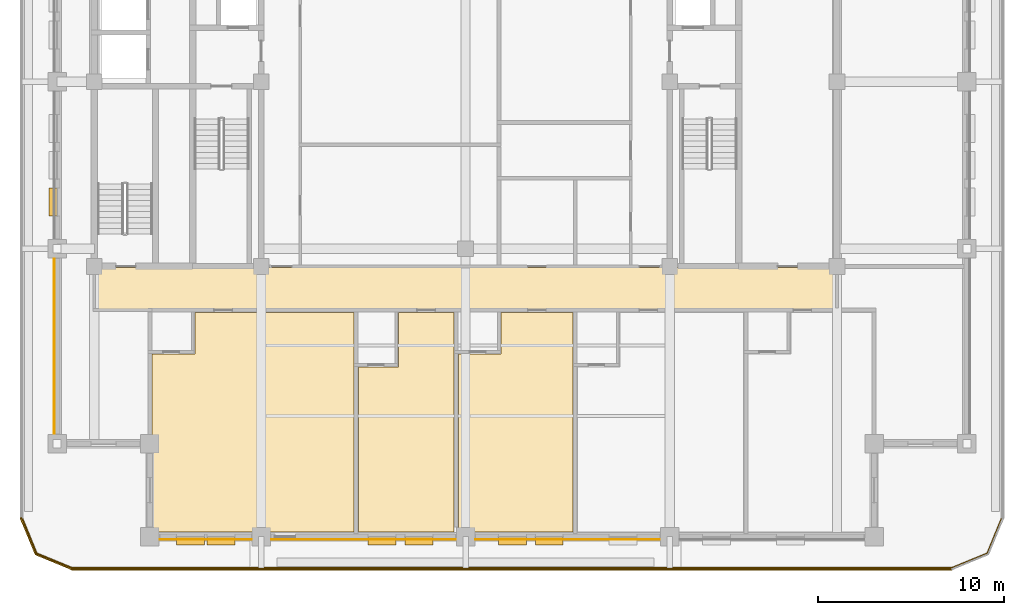
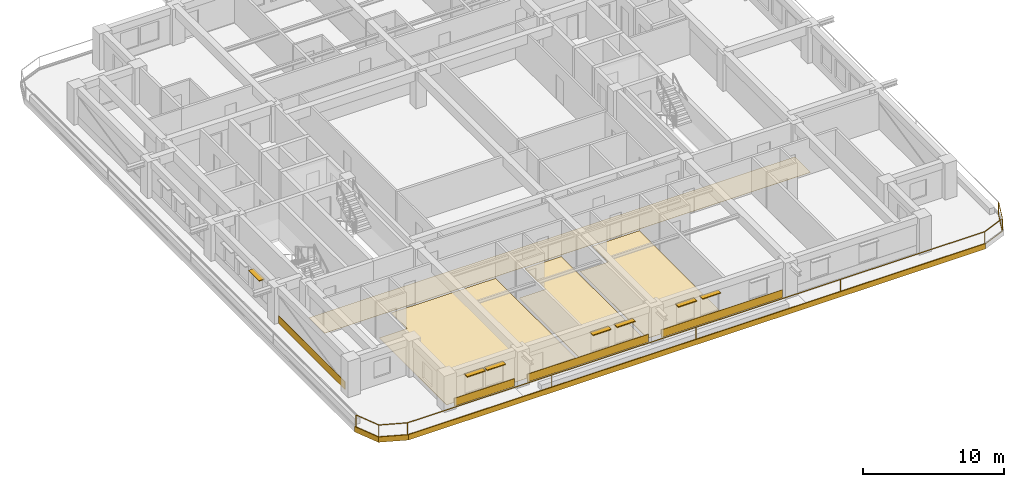
# One storey, part 8 of 13: 11 coverings, 7 shading devices, 1 railing.
"""IFC4 building model written with IfcOpenShell, lengths in metres."""

from ifc_helpers import new_model, si_unit, direction, frame, frame_2d, origin, origin_2d, place, context, subcontext, project, spatial, polyline, rectangle, outline, extrude, material, layer, layer_set, type_object, element, save


model = new_model("IFC4")

# Units and contexts
model_context = context("Model", 3, precision=1e-05, world=origin(), true_north=direction((0.0, 1.0)))
body_context = subcontext(model_context, "Body", "Model", "MODEL_VIEW")
ifc_project = project(units=[si_unit("LENGTHUNIT", "METRE"), si_unit("AREAUNIT", "SQUARE_METRE"), si_unit("VOLUMEUNIT", "CUBIC_METRE"), si_unit("PLANEANGLEUNIT", "RADIAN"), si_unit("MASSUNIT", "GRAM", prefix="KILO")], contexts=[model_context])

# Site, building, storey
site_placement = place(None, origin())
site = spatial("IfcSite", under=ifc_project, at=site_placement, CompositionType="ELEMENT")
building_placement = place(site_placement, origin())
building = spatial("IfcBuilding", under=site, at=building_placement, Name="Zulmaris Gate Convention Tower", CompositionType="ELEMENT")
storey_placement = place(building_placement, frame((0.0, 0.0, 166.059814453125)))
storey = spatial("IfcBuildingStorey", under=building, at=storey_placement, Name="L42", CompositionType="ELEMENT", Elevation=166.059814453125)

# Coverings
ifc_material_1 = material(Name="Precast concrete C40/50", Category="concrete")
ifc_layer_1 = layer(ifc_material_1, 0.0400390625, Name="Precast concrete C40/50")
ifc_layer_set_1 = layer_set([ifc_layer_1], Name="Precast concrete C40/50")
covering_type_1 = type_object("IfcCoveringType", Name="CLAD-SPANDREL-PRECAST", PredefinedType="CLADDING", material=ifc_layer_set_1)
covering_1_placement = place(storey_placement, frame((-16.469970703125, -24.64990234375, 0.0), z_axis=(0.0, 0.0, 1.0), x_axis=(1.0, 0.0, 0.0)))
element("IfcCovering", 1, at=covering_1_placement, inside=storey, type_object=covering_type_1, Name="CLD-L42-S-0_0", PredefinedType="CLADDING", context=body_context, shape_type="SweptSolid", body=[
    extrude(rectangle(XDim=4.93994140625, YDim=0.0400390625, at=frame_2d((2.469970703125, 0.0))), origin(), (0.0, 0.0, 1.0), 0.679931640625),
])
for number, where, z_axis, x_axis, name in (
    (2, (-10.469970703125, -24.64990234375, 0.0), (0.0, 0.0, 1.0), (1.0, 0.0, 0.0), "CLD-L42-S-1_0"),
    (3, (0.530029296875, -24.64990234375, 0.0), (0.0, 0.0, 1.0), (1.0, 0.0, 0.0), "CLD-L42-S-2_0"),
):
    element("IfcCovering", number, at=place(storey_placement, frame(where, z_axis=z_axis, x_axis=x_axis)), inside=storey, type_object=covering_type_1, Name=name, PredefinedType="CLADDING", context=body_context, shape_type="SweptSolid", body=[
        extrude(rectangle(XDim=9.93994140625, YDim=0.0400390625, at=frame_2d((4.969970703125, 0.0))), origin(), (0.0, 0.0, 1.0), 0.679931640625),
    ])
covering_2_placement = place(storey_placement, frame((-22.14990234375, -9.530029296875, 0.0), z_axis=(0.0, 0.0, 1.0), x_axis=(0.0, -1.0, 0.0)))
element("IfcCovering", 4, at=covering_2_placement, inside=storey, type_object=covering_type_1, Name="CLD-L42-W-0_0", PredefinedType="CLADDING", context=body_context, shape_type="SweptSolid", body=[
    extrude(rectangle(XDim=9.43994140625, YDim=0.0400390625, at=frame_2d((4.719970703125, 0.0))), origin(), (0.0, 0.0, 1.0), 0.679931640625),
])
ifc_material_2 = material(Name="White Glazed Architectural Precast Concrete C40/50", Category="concrete")
ifc_layer_2 = layer(ifc_material_2, 0.080078125, Name="White Glazed Architectural Precast Concrete C40/50")
ifc_layer_set_2 = layer_set([ifc_layer_2], Name="White Glazed Architectural Precast Concrete C40/50")
covering_type_2 = type_object("IfcCoveringType", Name="CLAD-TRAY-FASCIA", PredefinedType="CLADDING", material=ifc_layer_set_2)
covering_3_placement = place(storey_placement, frame((-23.962890625, -23.484619140625, -0.2900390625), z_axis=(0.0, 0.0, 1.0), x_axis=(0.382656984709, -0.923890487046, 0.0)))
element("IfcCovering", 5, at=covering_3_placement, inside=storey, type_object=covering_type_2, Name="FSC-L42-TR-00", PredefinedType="CLADDING", context=body_context, shape_type="SweptSolid", body=[
    extrude(rectangle(XDim=2.14306640625, YDim=0.080078125, at=frame_2d((1.071533203125, 0.0))), origin(), (0.0, 0.0, 1.0), 0.4599609375),
])
covering_4_placement = place(storey_placement, frame((-23.16455078125, -25.44287109375, -0.2900390625), z_axis=(0.0, 0.0, 1.0), x_axis=(0.923873803533, -0.382697263049, 0.0)))
element("IfcCovering", 6, at=covering_4_placement, inside=storey, type_object=covering_type_2, Name="FSC-L42-TR-01", PredefinedType="CLADDING", context=body_context, shape_type="SweptSolid", body=[
    extrude(rectangle(XDim=2.142822265625, YDim=0.080078125, at=frame_2d((1.0712890625, 0.0))), origin(), (0.0, 0.0, 1.0), 0.4599609375),
])
covering_5_placement = place(storey_placement, frame((-21.199951171875, -26.260009765625, -0.2900390625), z_axis=(0.0, 0.0, 1.0), x_axis=(1.0, 0.0, 0.0)))
element("IfcCovering", 7, at=covering_5_placement, inside=storey, type_object=covering_type_2, Name="FSC-L42-TR-02", PredefinedType="CLADDING", context=body_context, shape_type="SweptSolid", body=[
    extrude(rectangle(XDim=47.39990234375, YDim=0.080078125, at=frame_2d((23.699951171875, 0.0))), origin(), (0.0, 0.0, 1.0), 0.4599609375),
])
ifc_material_3 = material(Name="Woven Acoustic Wool Carpet Tile")
ifc_layer_3 = layer(ifc_material_3, 0.02001953125, Name="Woven Acoustic Wool Carpet Tile")
ifc_layer_set_3 = layer_set([ifc_layer_3], Name="Woven Acoustic Wool Carpet Tile")
covering_type_3 = type_object("IfcCoveringType", Name="FLR-CARPET-12", PredefinedType="FLOORING", material=ifc_layer_set_3)
covering_6_placement = place(storey_placement, origin())
element("IfcCovering", 8, at=covering_6_placement, inside=storey, type_object=covering_type_3, Name="FLR-L42-R26", PredefinedType="FLOORING", context=body_context, shape_type="SweptSolid", body=[
    extrude(outline(polyline([(-19.93994140625, -12.239990234375), (19.93994140625, -12.239990234375), (19.93994140625, -10.010009765625), (-19.93994140625, -10.010009765625), (-19.93994140625, -12.239990234375)])), origin(), (0.0, 0.0, 1.0), 0.02001953125),
])
covering_7_placement = place(storey_placement, origin())
element("IfcCovering", 9, at=covering_7_placement, inside=storey, type_object=covering_type_3, Name="FLR-L42-R42", PredefinedType="FLOORING", context=body_context, shape_type="SweptSolid", body=[
    extrude(outline(polyline([(-5.780029296875, -24.260009765625), (-0.6201171875, -24.260009765625), (-0.6201171875, -12.419921875), (-3.6201171875, -12.419921875), (-3.6201171875, -15.3701171875), (-5.780029296875, -15.3701171875), (-5.780029296875, -24.260009765625)])), origin(), (0.0, 0.0, 1.0), 0.02001953125),
])
ifc_material_4 = material(Name="Engineered Teak Parquet Flooring")
ifc_layer_4 = layer(ifc_material_4, 0.02001953125, Name="Engineered Teak Parquet Flooring")
ifc_layer_set_4 = layer_set([ifc_layer_4], Name="Engineered Teak Parquet Flooring")
covering_type_4 = type_object("IfcCoveringType", Name="FLR-TIMBER-18", PredefinedType="FLOORING", material=ifc_layer_set_4)
covering_8_placement = place(storey_placement, origin())
element("IfcCovering", 10, at=covering_8_placement, inside=storey, type_object=covering_type_4, Name="FLR-L42-R40", PredefinedType="FLOORING", context=body_context, shape_type="SweptSolid", body=[
    extrude(outline(polyline([(-16.8798828125, -24.260009765625), (-6.02001953125, -24.260009765625), (-6.02001953125, -12.419921875), (-14.580078125, -12.419921875), (-14.580078125, -14.669921875), (-16.8798828125, -14.669921875), (-16.8798828125, -24.260009765625)])), origin(), (0.0, 0.0, 1.0), 0.02001953125),
])
covering_9_placement = place(storey_placement, origin())
element("IfcCovering", 11, at=covering_9_placement, inside=storey, type_object=covering_type_4, Name="FLR-L42-R44", PredefinedType="FLOORING", context=body_context, shape_type="SweptSolid", body=[
    extrude(outline(polyline([(-0.3798828125, -24.260009765625), (5.780029296875, -24.260009765625), (5.780029296875, -12.419921875), (1.919921875, -12.419921875), (1.919921875, -14.669921875), (-0.3798828125, -14.669921875), (-0.3798828125, -24.260009765625)])), origin(), (0.0, 0.0, 1.0), 0.02001953125),
])

# Railing
ifc_material_5 = material(Name="Laminated Glass and Stainless Steel", Category="steel")
railing_type = type_object("IfcRailingType", Name="RL-BALC-1150", PredefinedType="BALUSTRADE", material=ifc_material_5)
railing_placement = place(storey_placement, frame((-23.8798828125, -23.5, 0.010009765625)))
element("IfcRailing", 12, at=railing_placement, inside=storey, type_object=railing_type, Name="RL-L42-BALC-S", PredefinedType="BALUSTRADE", context=body_context, shape_type="SweptSolid", body=[
    extrude(rectangle(XDim=0.048095703125, YDim=0.048095703125, at=origin_2d()), frame((0.0, 0.0, 1.1259765625), z_axis=(0.382670664694, -0.92388482095, 0.0), x_axis=(0.92388482095, 0.382670664694, 0.0)), (0.0, 0.0, 1.0), 2.051025390625),
    extrude(rectangle(XDim=0.048095703125, YDim=0.048095703125, at=origin_2d()), frame((0.0, 0.0, 0.02392578125), z_axis=(0.382670664694, -0.92388482095, 0.0), x_axis=(0.92388482095, 0.382670664694, 0.0)), (0.0, 0.0, 1.0), 2.051025390625),
    extrude(rectangle(XDim=0.048095703125, YDim=0.048095703125, at=origin_2d()), frame((0.784912109375, -1.89501953125, 1.1259765625), z_axis=(0.92388482095, -0.382670664694, 0.0), x_axis=(0.382670664694, 0.92388482095, 0.0)), (0.0, 0.0, 1.0), 2.051025390625),
    extrude(rectangle(XDim=0.048095703125, YDim=0.048095703125, at=origin_2d()), frame((0.784912109375, -1.89501953125, 0.02392578125), z_axis=(0.92388482095, -0.382670664694, 0.0), x_axis=(0.382670664694, 0.92388482095, 0.0)), (0.0, 0.0, 1.0), 2.051025390625),
    extrude(rectangle(XDim=0.048095703125, YDim=0.048095703125, at=origin_2d()), frame((2.679931640625, -2.679931640625, 1.1259765625), z_axis=(1.0, 0.0, 0.0), x_axis=(0.0, 1.0, 0.0)), (0.0, 0.0, 1.0), 47.39990234375),
    extrude(rectangle(XDim=0.048095703125, YDim=0.048095703125, at=origin_2d()), frame((2.679931640625, -2.679931640625, 0.02392578125), z_axis=(1.0, 0.0, 0.0), x_axis=(0.0, 1.0, 0.0)), (0.0, 0.0, 1.0), 47.39990234375),
    extrude(rectangle(XDim=0.048095703125, YDim=0.048095703125, at=origin_2d()), frame((50.079833984375, -2.679931640625, 1.1259765625), z_axis=(0.92388482095, 0.382670664694, 0.0), x_axis=(-0.382670664694, 0.92388482095, 0.0)), (0.0, 0.0, 1.0), 2.051025390625),
    extrude(rectangle(XDim=0.048095703125, YDim=0.048095703125, at=origin_2d()), frame((50.079833984375, -2.679931640625, 0.02392578125), z_axis=(0.92388482095, 0.382670664694, 0.0), x_axis=(-0.382670664694, 0.92388482095, 0.0)), (0.0, 0.0, 1.0), 2.051025390625),
    extrude(rectangle(XDim=0.048095703125, YDim=0.048095703125, at=origin_2d()), frame((51.974853515625, -1.89501953125, 1.1259765625), z_axis=(0.382670664694, 0.92388482095, 0.0), x_axis=(-0.92388482095, 0.382670664694, 0.0)), (0.0, 0.0, 1.0), 2.051025390625),
    extrude(rectangle(XDim=0.048095703125, YDim=0.048095703125, at=origin_2d()), frame((51.974853515625, -1.89501953125, 0.02392578125), z_axis=(0.382670664694, 0.92388482095, 0.0), x_axis=(-0.92388482095, 0.382670664694, 0.0)), (0.0, 0.0, 1.0), 2.051025390625),
    extrude(rectangle(XDim=0.0419921875, YDim=0.0419921875, at=origin_2d()), origin(), (0.0, 0.0, 1.0), 1.101806640625),
    extrude(rectangle(XDim=0.0419921875, YDim=0.0419921875, at=origin_2d()), frame((0.784912109375, -1.89501953125, 0.0)), (0.0, 0.0, 1.0), 1.101806640625),
    extrude(rectangle(XDim=0.0419921875, YDim=0.0419921875, at=origin_2d()), frame((2.679931640625, -2.679931640625, 0.0)), (0.0, 0.0, 1.0), 1.101806640625),
    extrude(rectangle(XDim=0.0419921875, YDim=0.0419921875, at=origin_2d()), frame((14.52978515625, -2.679931640625, 0.0)), (0.0, 0.0, 1.0), 1.101806640625),
    extrude(rectangle(XDim=0.0419921875, YDim=0.0419921875, at=origin_2d()), frame((26.3798828125, -2.679931640625, 0.0)), (0.0, 0.0, 1.0), 1.101806640625),
    extrude(rectangle(XDim=0.0419921875, YDim=0.0419921875, at=origin_2d()), frame((38.22998046875, -2.679931640625, 0.0)), (0.0, 0.0, 1.0), 1.101806640625),
    extrude(rectangle(XDim=0.0419921875, YDim=0.0419921875, at=origin_2d()), frame((50.079833984375, -2.679931640625, 0.0)), (0.0, 0.0, 1.0), 1.101806640625),
    extrude(rectangle(XDim=0.0419921875, YDim=0.0419921875, at=origin_2d()), frame((51.974853515625, -1.89501953125, 0.0)), (0.0, 0.0, 1.0), 1.101806640625),
    extrude(rectangle(XDim=0.0419921875, YDim=0.0419921875, at=origin_2d()), frame((52.759765625, 0.0, 0.0)), (0.0, 0.0, 1.0), 1.101806640625),
])

# Shading devices
ifc_material_6 = material(Name="Glazed Ceramic Terracotta", Category="masonry")
ifc_layer_5 = layer(ifc_material_6, 0.070068359375, Name="Glazed Ceramic Terracotta")
ifc_layer_set_5 = layer_set([ifc_layer_5], Name="Glazed Ceramic Terracotta")
shading_device_type = type_object("IfcShadingDeviceType", Name="SHD-SUNSHADE-TC", PredefinedType="AWNING", material=ifc_layer_set_5)
for number, where, z_axis, x_axis, name in (
    (13, (-15.572998046875, -24.719970703125, 2.35009765625), (0.0, 0.0, 1.0), (1.0, 0.0, 0.0), "SHD-EW-L42-S-0_0-1"),
    (14, (-13.927001953125, -24.719970703125, 2.35009765625), (0.0, 0.0, 1.0), (1.0, 0.0, 0.0), "SHD-EW-L42-S-0_0-2"),
    (15, (-5.256103515625, -24.719970703125, 2.35009765625), (0.0, 0.0, 1.0), (1.0, 0.0, 0.0), "SHD-EW-L42-S-1_0-3"),
    (16, (-3.26806640625, -24.719970703125, 2.35009765625), (0.0, 0.0, 1.0), (1.0, 0.0, 0.0), "SHD-EW-L42-S-1_0-4"),
    (17, (1.76806640625, -24.719970703125, 2.35009765625), (0.0, 0.0, 1.0), (1.0, 0.0, 0.0), "SHD-EW-L42-S-2_0-1"),
    (18, (3.756103515625, -24.719970703125, 2.35009765625), (0.0, 0.0, 1.0), (1.0, 0.0, 0.0), "SHD-EW-L42-S-2_0-2"),
    (19, (-22.219970703125, -5.735107421875, 2.35009765625), (0.0, 0.0, 1.0), (0.0, -1.0, 0.0), "SHD-EW-L42-W-1_0-3"),
):
    element("IfcShadingDevice", number, at=place(storey_placement, frame(where, z_axis=z_axis, x_axis=x_axis)), inside=storey, type_object=shading_device_type, Name=name, PredefinedType="AWNING", context=body_context, shape_type="SweptSolid", body=[
        extrude(rectangle(XDim=1.5, YDim=0.43994140625, at=frame_2d((0.75, 0.0))), origin(), (0.0, 0.0, 1.0), 0.06982421875),
    ])

save(model, "model.ifc")
